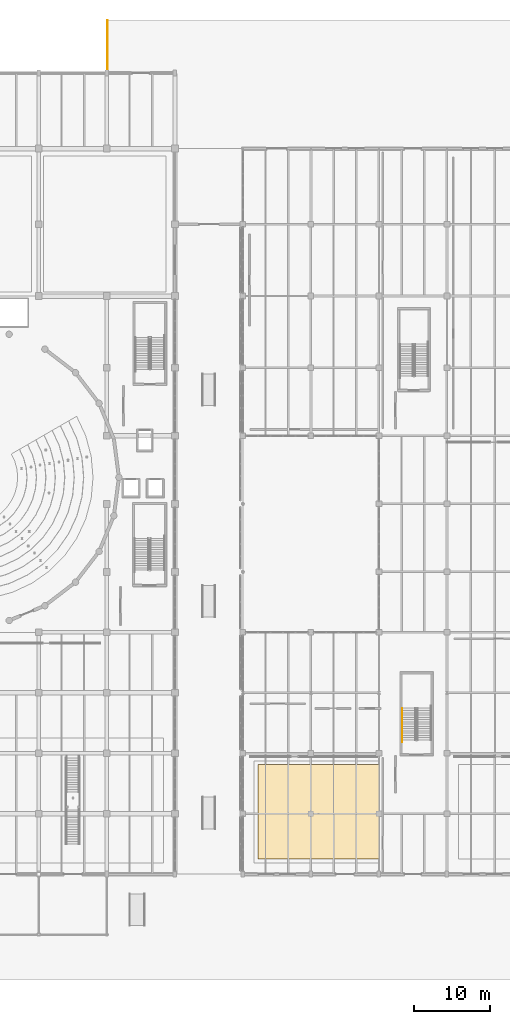
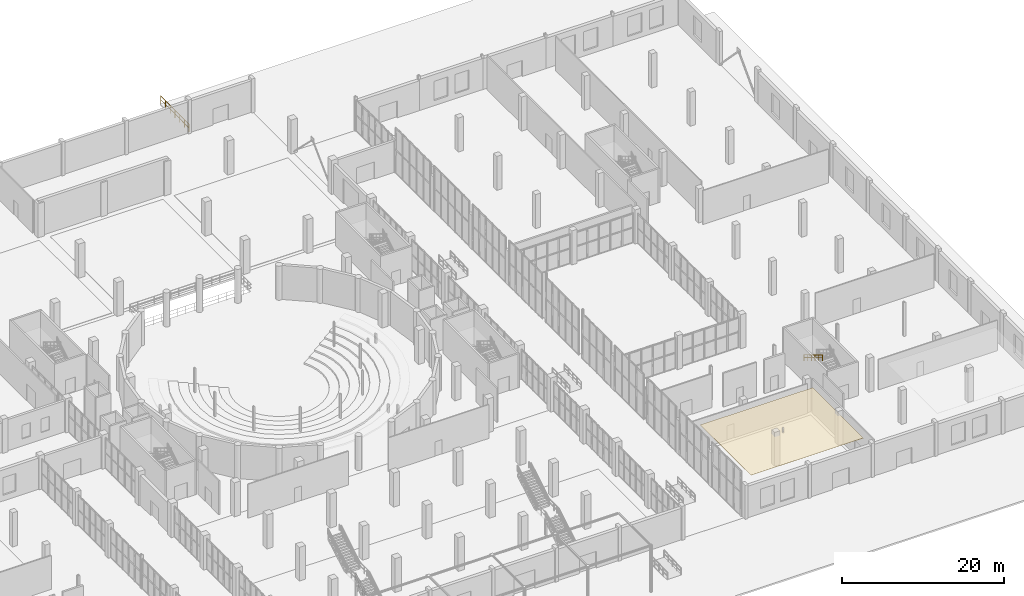
# One storey, part 101 of 103: 2 railings, 1 covering.
"""IFC4 building model written with IfcOpenShell, lengths in metres."""

from ifc_helpers import new_model, si_unit, direction, frame, origin, origin_2d, place, context, subcontext, project, spatial, polyline, circle, outline, extrude, material, layer, layer_set, type_object, element, save


model = new_model("IFC4")

# Units and contexts
model_context = context("Model", 3, precision=1e-05, world=origin(), true_north=direction((0.0, 1.0)))
body_context = subcontext(model_context, "Body", "Model", "MODEL_VIEW")
ifc_project = project(units=[si_unit("LENGTHUNIT", "METRE"), si_unit("AREAUNIT", "SQUARE_METRE"), si_unit("VOLUMEUNIT", "CUBIC_METRE"), si_unit("PLANEANGLEUNIT", "RADIAN"), si_unit("MASSUNIT", "GRAM", prefix="KILO")], contexts=[model_context])

# Site, building, storey
site_placement = place(None, origin())
site = spatial("IfcSite", under=ifc_project, at=site_placement, CompositionType="ELEMENT")
building_placement = place(site_placement, origin())
building = spatial("IfcBuilding", under=site, at=building_placement, Name="Marnock Terrace Opera House", CompositionType="ELEMENT")
storey_placement = place(building_placement, origin())
storey = spatial("IfcBuildingStorey", under=building, at=storey_placement, Name="L00", CompositionType="ELEMENT", Elevation=0.0)

# Covering
ifc_material_1 = material(Name="Double-stud acoustic plasterboard with mineral-wool infill")
ifc_layer = layer(ifc_material_1, 0.030029296875)
ifc_layer_set = layer_set([ifc_layer], Name="Double-stud acoustic plasterboard with mineral-wool infill")
covering_type = type_object("IfcCoveringType", Name="COV-CEIL-GYP", PredefinedType="CEILING", material=ifc_layer_set)
covering_placement = place(storey_placement, frame((0.0, 0.0, 4.39990234375)))
element("IfcCovering", 1, at=covering_placement, inside=storey, type_object=covering_type, Name="L00 acoustic reflector ceiling CLG-CAFE-01", PredefinedType="CEILING", context=body_context, shape_type="SweptSolid", body=[
    extrude(outline(polyline([(120.0, 10.0), (136.0, 10.0), (136.0, 22.5), (120.0, 22.5), (120.0, 10.0)])), origin(), (0.0, 0.0, 1.0), 0.030029296875),
])

# Railings
ifc_material_2 = material(Name="Basket Range sandstone ashlar masonry", Category="masonry")
railing_type_1 = type_object("IfcRailingType", Name="RL-BALUST-1150", PredefinedType="BALUSTRADE", material=ifc_material_2)
railing_1_placement = place(storey_placement, frame((100.10009765625, 114.0, 0.0)))
element("IfcRailing", 2, at=railing_1_placement, inside=storey, type_object=railing_type_1, Name="L00 roof-garden balustrade BAL-L00-SUNKEN-E", PredefinedType="BALUSTRADE", context=body_context, shape_type="SweptSolid", body=[
    extrude(circle(Radius=0.02392578125, at=origin_2d()), frame((0.0, 0.0, 1.1259765625), z_axis=(0.0, 1.0, 0.0), x_axis=(-1.0, 0.0, 0.0)), (0.0, 0.0, 1.0), 7.0),
    extrude(circle(Radius=0.02392578125, at=origin_2d()), frame((0.0, 0.0, 0.574951171875), z_axis=(0.0, 1.0, 0.0), x_axis=(-1.0, 0.0, 0.0)), (0.0, 0.0, 1.0), 7.0),
    extrude(circle(Radius=0.02099609375, at=origin_2d()), origin(), (0.0, 0.0, 1.0), 1.101806640625),
    extrude(circle(Radius=0.02099609375, at=origin_2d()), frame((0.0, 1.166748046875, 0.0)), (0.0, 0.0, 1.0), 1.101806640625),
    extrude(circle(Radius=0.02099609375, at=origin_2d()), frame((0.0, 2.333251953125, 0.0)), (0.0, 0.0, 1.0), 1.101806640625),
    extrude(circle(Radius=0.02099609375, at=origin_2d()), frame((0.0, 3.5, 0.0)), (0.0, 0.0, 1.0), 1.101806640625),
    extrude(circle(Radius=0.02099609375, at=origin_2d()), frame((0.0, 4.666748046875, 0.0)), (0.0, 0.0, 1.0), 1.101806640625),
    extrude(circle(Radius=0.02099609375, at=origin_2d()), frame((0.0, 5.833251953125, 0.0)), (0.0, 0.0, 1.0), 1.101806640625),
    extrude(circle(Radius=0.02099609375, at=origin_2d()), frame((0.0, 7.0, 0.0)), (0.0, 0.0, 1.0), 1.101806640625),
])
ifc_material_3 = material(Name="Architectural bronze balustrade")
railing_type_2 = type_object("IfcRailingType", Name="RL-HAND-900", PredefinedType="HANDRAIL", material=ifc_material_3)
railing_2_placement = place(storey_placement, frame((139.090087890625, 29.9599609375, 2.89208984375)))
element("IfcRailing", 3, at=railing_2_placement, inside=storey, type_object=railing_type_2, Name="L00 ST-06 stair handrail 2", PredefinedType="HANDRAIL", context=body_context, shape_type="SweptSolid", body=[
    extrude(circle(Radius=0.02392578125, at=origin_2d()), frame((0.0, 0.0, 0.8759765625), z_axis=(0.0, -0.857497030584, 0.514488913912), x_axis=(1.0, 0.0, 0.0)), (0.0, 0.0, 1.0), 5.247802734375),
    extrude(circle(Radius=0.02392578125, at=origin_2d()), frame((0.0, 0.0, 0.449951171875), z_axis=(0.0, -0.857497030584, 0.514488913912), x_axis=(1.0, 0.0, 0.0)), (0.0, 0.0, 1.0), 5.247802734375),
    extrude(circle(Radius=0.02099609375, at=origin_2d()), origin(), (0.0, 0.0, 1.0), 0.851806640625),
    extrude(circle(Radius=0.02099609375, at=origin_2d()), frame((0.0, -0.89990234375, 0.5400390625)), (0.0, 0.0, 1.0), 0.851806640625),
    extrude(circle(Radius=0.02099609375, at=origin_2d()), frame((0.0, -1.800048828125, 1.080078125)), (0.0, 0.0, 1.0), 0.851806640625),
    extrude(circle(Radius=0.02099609375, at=origin_2d()), frame((0.0, -2.699951171875, 1.619873046875)), (0.0, 0.0, 1.0), 0.851806640625),
    extrude(circle(Radius=0.02099609375, at=origin_2d()), frame((0.0, -3.60009765625, 2.159912109375)), (0.0, 0.0, 1.0), 0.851806640625),
    extrude(circle(Radius=0.02099609375, at=origin_2d()), frame((0.0, -4.5, 2.699951171875)), (0.0, 0.0, 1.0), 0.851806640625),
])

save(model, "model.ifc")
